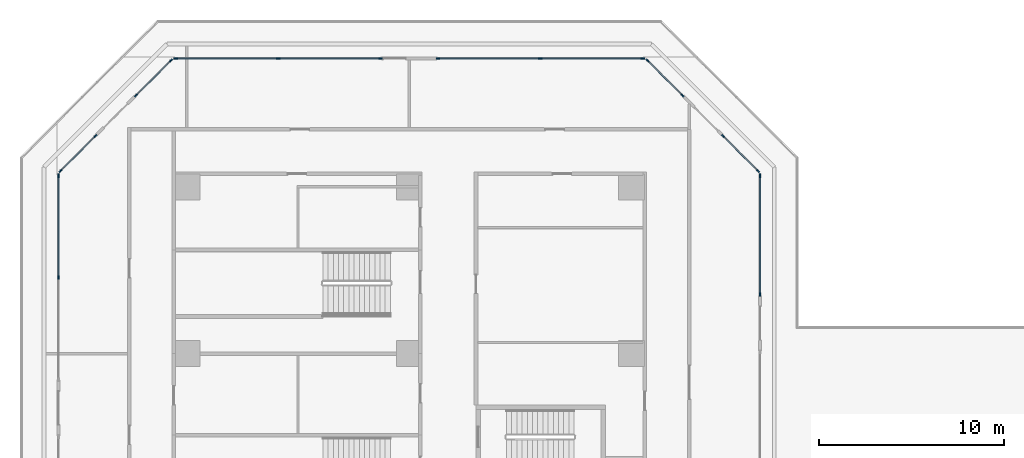
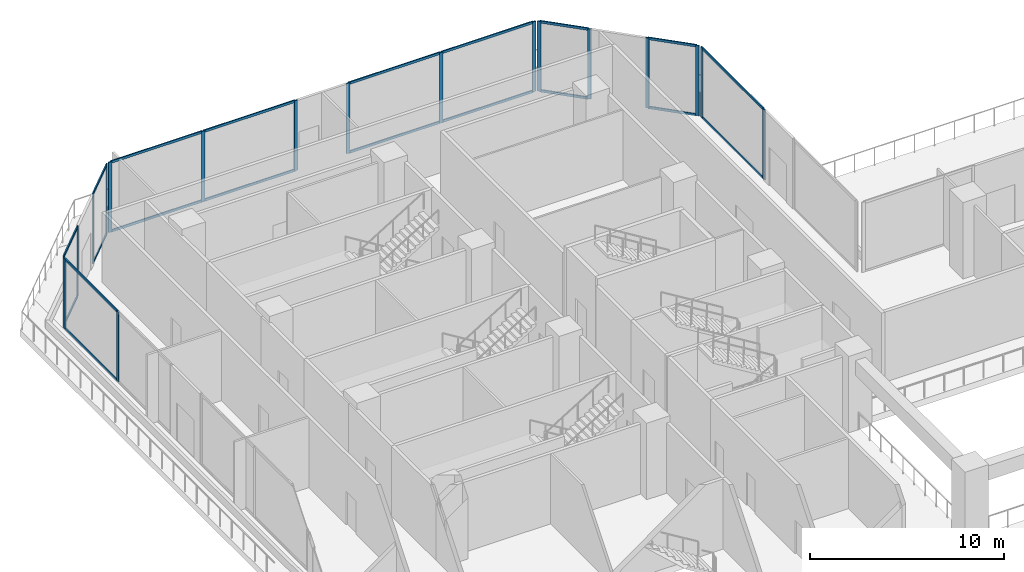
# One storey, part 8 of 25: 38 members, 8 elements without a shape of their own.
"""IFC4 building model written with IfcOpenShell, lengths in metres."""

from ifc_helpers import new_model, si_unit, direction, frame, origin, origin_2d, place, context, subcontext, project, spatial, rectangle, extrude, material, layer, layer_set, material_profile, profile_set, type_object, element, aggregate, save


model = new_model("IFC4")

# Units and contexts
model_context = context("Model", 3, precision=1e-05, world=origin(), true_north=direction((0.0, 1.0)))
body_context = subcontext(model_context, "Body", "Model", "MODEL_VIEW")
ifc_project = project(units=[si_unit("LENGTHUNIT", "METRE"), si_unit("AREAUNIT", "SQUARE_METRE"), si_unit("VOLUMEUNIT", "CUBIC_METRE"), si_unit("PLANEANGLEUNIT", "RADIAN"), si_unit("MASSUNIT", "GRAM", prefix="KILO")], contexts=[model_context])

# Site, building, storey
site_placement = place(None, origin())
site = spatial("IfcSite", under=ifc_project, at=site_placement, CompositionType="ELEMENT")
building_placement = place(site_placement, origin())
building = spatial("IfcBuilding", under=site, at=building_placement, Name="Chenar Terraces", CompositionType="ELEMENT")
storey_placement = place(building_placement, frame((0.0, 0.0, 21.60009765625)))
storey = spatial("IfcBuildingStorey", under=building, at=storey_placement, Name="L04", CompositionType="ELEMENT", Elevation=21.60009765625)

# Curtain wall, members
ifc_material_1 = material(Name="Aluminium framed glazing", Category="aluminium")
ifc_layer = layer(ifc_material_1, 0.14990234375)
ifc_layer_set = layer_set([ifc_layer], Name="Aluminium framed glazing")
curtain_wall_type = type_object("IfcCurtainWallType", Name="School curtain wall", PredefinedType="NOTDEFINED", material=ifc_layer_set)
placement = place(storey_placement, origin())
curtain_wall_1 = element("IfcCurtainWall", 1, at=placement, inside=storey, type_object=curtain_wall_type, Name="School curtain wall", PredefinedType="NOTDEFINED")
ifc_material_2 = material(Name="Aluminium", Category="aluminium")
ifc_material_profile_1 = material_profile(ifc_material_2, rectangle(XDim=0.070068359375, YDim=0.199951171875, at=origin_2d()), Name="School glazing mullion 70 x 200")
ifc_profile_set_1 = profile_set([ifc_material_profile_1], Name="Aluminium")
member_type_1 = type_object("IfcMemberType", Name="School glazing mullion 70 x 200", PredefinedType="MULLION", material=ifc_profile_set_1)
member_1_placement = place(storey_placement, frame((30.925048828125, 57.1865234375, 0.0), z_axis=(0.0, 0.0, 1.0), x_axis=(-1.0, 0.0, 0.0)))
member_1 = element("IfcMember", 2, at=member_1_placement, type_object=member_type_1, Name="CW2-01c1 mullion 1", PredefinedType="MULLION", context=body_context, shape_type="SweptSolid", body=[
    extrude(rectangle(XDim=0.070068359375, YDim=0.199951171875, at=origin_2d()), origin(), (0.0, 0.0, 1.0), 4.39990234375),
])
member_2_placement = place(storey_placement, frame((30.925048828125, 63.59326171875, 0.0), z_axis=(0.0, 0.0, 1.0), x_axis=(-1.0, 0.0, 0.0)))
member_2 = element("IfcMember", 3, at=member_2_placement, type_object=member_type_1, Name="CW2-01c1 mullion 2", PredefinedType="MULLION", context=body_context, shape_type="SweptSolid", body=[
    extrude(rectangle(XDim=0.070068359375, YDim=0.199951171875, at=origin_2d()), origin(), (0.0, 0.0, 1.0), 4.39990234375),
])

curtain_wall_2 = element("IfcCurtainWall", 4, at=placement, inside=storey, type_object=curtain_wall_type, Name="School curtain wall", PredefinedType="NOTDEFINED")
member_3_placement = place(storey_placement, frame((30.816162109375, 63.85595703125, 0.0), z_axis=(0.0, 0.0, 1.0), x_axis=(-0.707106781187, -0.707106781187, 0.0)))
member_3 = element("IfcMember", 5, at=member_3_placement, type_object=member_type_1, Name="CW2-02c0 mullion 1", PredefinedType="MULLION", context=body_context, shape_type="SweptSolid", body=[
    extrude(rectangle(XDim=0.070068359375, YDim=0.199951171875, at=origin_2d()), origin(), (0.0, 0.0, 1.0), 4.39990234375),
])
member_4_placement = place(storey_placement, frame((28.930419921875, 65.741943359375, 0.0), z_axis=(0.0, 0.0, 1.0), x_axis=(-0.707106781187, -0.707106781187, 0.0)))
member_4 = element("IfcMember", 6, at=member_4_placement, type_object=member_type_1, Name="CW2-02c0 mullion 2", PredefinedType="MULLION", context=body_context, shape_type="SweptSolid", body=[
    extrude(rectangle(XDim=0.070068359375, YDim=0.199951171875, at=origin_2d()), origin(), (0.0, 0.0, 1.0), 4.39990234375),
])

curtain_wall_3 = element("IfcCurtainWall", 7, at=placement, inside=storey, type_object=curtain_wall_type, Name="School curtain wall", PredefinedType="NOTDEFINED")
member_5_placement = place(storey_placement, frame((26.741943359375, 67.930419921875, 0.0), z_axis=(0.0, 0.0, 1.0), x_axis=(-0.707106781187, -0.707106781187, 0.0)))
member_5 = element("IfcMember", 8, at=member_5_placement, type_object=member_type_1, Name="CW2-02c1 mullion 1", PredefinedType="MULLION", context=body_context, shape_type="SweptSolid", body=[
    extrude(rectangle(XDim=0.070068359375, YDim=0.199951171875, at=origin_2d()), origin(), (0.0, 0.0, 1.0), 4.39990234375),
])
member_6_placement = place(storey_placement, frame((24.85595703125, 69.816162109375, 0.0), z_axis=(0.0, 0.0, 1.0), x_axis=(-0.707106781187, -0.707106781187, 0.0)))
member_6 = element("IfcMember", 9, at=member_6_placement, type_object=member_type_1, Name="CW2-02c1 mullion 2", PredefinedType="MULLION", context=body_context, shape_type="SweptSolid", body=[
    extrude(rectangle(XDim=0.070068359375, YDim=0.199951171875, at=origin_2d()), origin(), (0.0, 0.0, 1.0), 4.39990234375),
])

curtain_wall_4 = element("IfcCurtainWall", 10, at=placement, inside=storey, type_object=curtain_wall_type, Name="School curtain wall", PredefinedType="NOTDEFINED")
member_7_placement = place(storey_placement, frame((24.59326171875, 69.925048828125, 0.0), z_axis=(0.0, 0.0, 1.0), x_axis=(0.0, -1.0, 0.0)))
member_7 = element("IfcMember", 11, at=member_7_placement, type_object=member_type_1, Name="CW2-03c0 mullion 1", PredefinedType="MULLION", context=body_context, shape_type="SweptSolid", body=[
    extrude(rectangle(XDim=0.070068359375, YDim=0.199951171875, at=origin_2d()), origin(), (0.0, 0.0, 1.0), 4.39990234375),
])
member_8_placement = place(storey_placement, frame((19.0703125, 69.925048828125, 0.0), z_axis=(0.0, 0.0, 1.0), x_axis=(0.0, -1.0, 0.0)))
member_8 = element("IfcMember", 12, at=member_8_placement, type_object=member_type_1, Name="CW2-03c0 mullion 2", PredefinedType="MULLION", context=body_context, shape_type="SweptSolid", body=[
    extrude(rectangle(XDim=0.070068359375, YDim=0.199951171875, at=origin_2d()), origin(), (0.0, 0.0, 1.0), 4.39990234375),
])
member_9_placement = place(storey_placement, frame((13.547607421875, 69.925048828125, 0.0), z_axis=(0.0, 0.0, 1.0), x_axis=(0.0, -1.0, 0.0)))
member_9 = element("IfcMember", 13, at=member_9_placement, type_object=member_type_1, Name="CW2-03c0 mullion 3", PredefinedType="MULLION", context=body_context, shape_type="SweptSolid", body=[
    extrude(rectangle(XDim=0.070068359375, YDim=0.199951171875, at=origin_2d()), origin(), (0.0, 0.0, 1.0), 4.39990234375),
])

curtain_wall_5 = element("IfcCurtainWall", 14, at=placement, inside=storey, type_object=curtain_wall_type, Name="School curtain wall", PredefinedType="NOTDEFINED")
member_10_placement = place(storey_placement, frame((10.452392578125, 69.925048828125, 0.0), z_axis=(0.0, 0.0, 1.0), x_axis=(0.0, -1.0, 0.0)))
member_10 = element("IfcMember", 15, at=member_10_placement, type_object=member_type_1, Name="CW2-03c1 mullion 1", PredefinedType="MULLION", context=body_context, shape_type="SweptSolid", body=[
    extrude(rectangle(XDim=0.070068359375, YDim=0.199951171875, at=origin_2d()), origin(), (0.0, 0.0, 1.0), 4.39990234375),
])
member_11_placement = place(storey_placement, frame((4.9296875, 69.925048828125, 0.0), z_axis=(0.0, 0.0, 1.0), x_axis=(0.0, -1.0, 0.0)))
member_11 = element("IfcMember", 16, at=member_11_placement, type_object=member_type_1, Name="CW2-03c1 mullion 2", PredefinedType="MULLION", context=body_context, shape_type="SweptSolid", body=[
    extrude(rectangle(XDim=0.070068359375, YDim=0.199951171875, at=origin_2d()), origin(), (0.0, 0.0, 1.0), 4.39990234375),
])
member_12_placement = place(storey_placement, frame((-0.59326171875, 69.925048828125, 0.0), z_axis=(0.0, 0.0, 1.0), x_axis=(0.0, -1.0, 0.0)))
member_12 = element("IfcMember", 17, at=member_12_placement, type_object=member_type_1, Name="CW2-03c1 mullion 3", PredefinedType="MULLION", context=body_context, shape_type="SweptSolid", body=[
    extrude(rectangle(XDim=0.070068359375, YDim=0.199951171875, at=origin_2d()), origin(), (0.0, 0.0, 1.0), 4.39990234375),
])

curtain_wall_6 = element("IfcCurtainWall", 18, at=placement, inside=storey, type_object=curtain_wall_type, Name="School curtain wall", PredefinedType="NOTDEFINED")
member_13_placement = place(storey_placement, frame((-0.85595703125, 69.816162109375, 0.0), z_axis=(0.0, 0.0, 1.0), x_axis=(0.707106781187, -0.707106781187, 0.0)))
member_13 = element("IfcMember", 19, at=member_13_placement, type_object=member_type_1, Name="CW2-04c0 mullion 1", PredefinedType="MULLION", context=body_context, shape_type="SweptSolid", body=[
    extrude(rectangle(XDim=0.070068359375, YDim=0.199951171875, at=origin_2d()), origin(), (0.0, 0.0, 1.0), 4.39990234375),
])
member_14_placement = place(storey_placement, frame((-2.741943359375, 67.930419921875, 0.0), z_axis=(0.0, 0.0, 1.0), x_axis=(0.707106781187, -0.707106781187, 0.0)))
member_14 = element("IfcMember", 20, at=member_14_placement, type_object=member_type_1, Name="CW2-04c0 mullion 2", PredefinedType="MULLION", context=body_context, shape_type="SweptSolid", body=[
    extrude(rectangle(XDim=0.070068359375, YDim=0.199951171875, at=origin_2d()), origin(), (0.0, 0.0, 1.0), 4.39990234375),
])

curtain_wall_7 = element("IfcCurtainWall", 21, at=placement, inside=storey, type_object=curtain_wall_type, Name="School curtain wall", PredefinedType="NOTDEFINED")
member_15_placement = place(storey_placement, frame((-4.930419921875, 65.741943359375, 0.0), z_axis=(0.0, 0.0, 1.0), x_axis=(0.707106781187, -0.707106781187, 0.0)))
member_15 = element("IfcMember", 22, at=member_15_placement, type_object=member_type_1, Name="CW2-04c1 mullion 1", PredefinedType="MULLION", context=body_context, shape_type="SweptSolid", body=[
    extrude(rectangle(XDim=0.070068359375, YDim=0.199951171875, at=origin_2d()), origin(), (0.0, 0.0, 1.0), 4.39990234375),
])
member_16_placement = place(storey_placement, frame((-6.816162109375, 63.85595703125, 0.0), z_axis=(0.0, 0.0, 1.0), x_axis=(0.707106781187, -0.707106781187, 0.0)))
member_16 = element("IfcMember", 23, at=member_16_placement, type_object=member_type_1, Name="CW2-04c1 mullion 2", PredefinedType="MULLION", context=body_context, shape_type="SweptSolid", body=[
    extrude(rectangle(XDim=0.070068359375, YDim=0.199951171875, at=origin_2d()), origin(), (0.0, 0.0, 1.0), 4.39990234375),
])

curtain_wall_8 = element("IfcCurtainWall", 24, at=placement, inside=storey, type_object=curtain_wall_type, Name="School curtain wall", PredefinedType="NOTDEFINED")
member_17_placement = place(storey_placement, frame((-6.925048828125, 63.59326171875, 0.0), z_axis=(0.0, 0.0, 1.0), x_axis=(1.0, 0.0, 0.0)))
member_17 = element("IfcMember", 25, at=member_17_placement, type_object=member_type_1, Name="CW2-05c0 mullion 1", PredefinedType="MULLION", context=body_context, shape_type="SweptSolid", body=[
    extrude(rectangle(XDim=0.070068359375, YDim=0.199951171875, at=origin_2d()), origin(), (0.0, 0.0, 1.0), 4.39990234375),
])
member_18_placement = place(storey_placement, frame((-6.925048828125, 58.102294921875, 0.0), z_axis=(0.0, 0.0, 1.0), x_axis=(1.0, 0.0, 0.0)))
member_18 = element("IfcMember", 26, at=member_18_placement, type_object=member_type_1, Name="CW2-05c0 mullion 2", PredefinedType="MULLION", context=body_context, shape_type="SweptSolid", body=[
    extrude(rectangle(XDim=0.070068359375, YDim=0.199951171875, at=origin_2d()), origin(), (0.0, 0.0, 1.0), 4.39990234375),
])

# Member
ifc_material_3 = material(Name="Aluminium", Category="aluminium")
ifc_material_profile_2 = material_profile(ifc_material_3, rectangle(XDim=0.070068359375, YDim=0.14990234375, at=origin_2d()), Name="School glazing transom 70 x 150")
ifc_profile_set_2 = profile_set([ifc_material_profile_2], Name="Aluminium")
member_type_2 = type_object("IfcMemberType", Name="School glazing transom 70 x 150", PredefinedType="USERDEFINED", material=ifc_profile_set_2)
member_19_placement = place(storey_placement, frame((30.925048828125, 57.2216796875, 0.034912109375), z_axis=(0.0, 1.0, 0.0), x_axis=(-1.0, 0.0, 0.0)))
member_19 = element("IfcMember", 27, at=member_19_placement, type_object=member_type_2, Name="CW2-01c1 transom 1.1", ObjectType="TRANSOM", PredefinedType="USERDEFINED", context=body_context, shape_type="SweptSolid", body=[
    extrude(rectangle(XDim=0.070068359375, YDim=0.14990234375, at=origin_2d()), origin(), (0.0, 0.0, 1.0), 6.33642578125),
])

member_20_placement = place(storey_placement, frame((30.925048828125, 57.2216796875, 4.364990234375), z_axis=(0.0, 1.0, 0.0), x_axis=(-1.0, 0.0, 0.0)))
member_20 = element("IfcMember", 28, at=member_20_placement, type_object=member_type_2, Name="CW2-01c1 transom 1.2", ObjectType="TRANSOM", PredefinedType="USERDEFINED", context=body_context, shape_type="SweptSolid", body=[
    extrude(rectangle(XDim=0.070068359375, YDim=0.14990234375, at=origin_2d()), origin(), (0.0, 0.0, 1.0), 6.33642578125),
])

aggregate(curtain_wall_1, [member_1, member_2, member_19, member_20])

member_21_placement = place(storey_placement, frame((30.79150390625, 63.880615234375, 0.034912109375), z_axis=(-0.707106781187, 0.707106781187, 0.0), x_axis=(-0.707106781187, -0.707106781187, 0.0)))
member_21 = element("IfcMember", 29, at=member_21_placement, type_object=member_type_2, Name="CW2-02c0 transom 1.1", ObjectType="TRANSOM", PredefinedType="USERDEFINED", context=body_context, shape_type="SweptSolid", body=[
    extrude(rectangle(XDim=0.070068359375, YDim=0.14990234375, at=origin_2d()), origin(), (0.0, 0.0, 1.0), 2.59716796875),
])

member_22_placement = place(storey_placement, frame((30.79150390625, 63.880615234375, 4.364990234375), z_axis=(-0.707106781187, 0.707106781187, 0.0), x_axis=(-0.707106781187, -0.707106781187, 0.0)))
member_22 = element("IfcMember", 30, at=member_22_placement, type_object=member_type_2, Name="CW2-02c0 transom 1.2", ObjectType="TRANSOM", PredefinedType="USERDEFINED", context=body_context, shape_type="SweptSolid", body=[
    extrude(rectangle(XDim=0.070068359375, YDim=0.14990234375, at=origin_2d()), origin(), (0.0, 0.0, 1.0), 2.59716796875),
])

aggregate(curtain_wall_2, [member_3, member_4, member_21, member_22])

member_23_placement = place(storey_placement, frame((26.717041015625, 67.955078125, 0.034912109375), z_axis=(-0.707106781187, 0.707106781187, 0.0), x_axis=(-0.707106781187, -0.707106781187, 0.0)))
member_23 = element("IfcMember", 31, at=member_23_placement, type_object=member_type_2, Name="CW2-02c1 transom 1.1", ObjectType="TRANSOM", PredefinedType="USERDEFINED", context=body_context, shape_type="SweptSolid", body=[
    extrude(rectangle(XDim=0.070068359375, YDim=0.14990234375, at=origin_2d()), origin(), (0.0, 0.0, 1.0), 2.59716796875),
])

member_24_placement = place(storey_placement, frame((26.717041015625, 67.955078125, 4.364990234375), z_axis=(-0.707106781187, 0.707106781187, 0.0), x_axis=(-0.707106781187, -0.707106781187, 0.0)))
member_24 = element("IfcMember", 32, at=member_24_placement, type_object=member_type_2, Name="CW2-02c1 transom 1.2", ObjectType="TRANSOM", PredefinedType="USERDEFINED", context=body_context, shape_type="SweptSolid", body=[
    extrude(rectangle(XDim=0.070068359375, YDim=0.14990234375, at=origin_2d()), origin(), (0.0, 0.0, 1.0), 2.59716796875),
])

aggregate(curtain_wall_3, [member_5, member_6, member_23, member_24])

member_25_placement = place(storey_placement, frame((24.55810546875, 69.925048828125, 0.034912109375), z_axis=(-1.0, 0.0, 0.0), x_axis=(0.0, -1.0, 0.0)))
member_25 = element("IfcMember", 33, at=member_25_placement, type_object=member_type_2, Name="CW2-03c0 transom 1.1", ObjectType="TRANSOM", PredefinedType="USERDEFINED", context=body_context, shape_type="SweptSolid", body=[
    extrude(rectangle(XDim=0.070068359375, YDim=0.14990234375, at=origin_2d()), origin(), (0.0, 0.0, 1.0), 5.45263671875),
])

member_26_placement = place(storey_placement, frame((24.55810546875, 69.925048828125, 4.364990234375), z_axis=(-1.0, 0.0, 0.0), x_axis=(0.0, -1.0, 0.0)))
member_26 = element("IfcMember", 34, at=member_26_placement, type_object=member_type_2, Name="CW2-03c0 transom 1.2", ObjectType="TRANSOM", PredefinedType="USERDEFINED", context=body_context, shape_type="SweptSolid", body=[
    extrude(rectangle(XDim=0.070068359375, YDim=0.14990234375, at=origin_2d()), origin(), (0.0, 0.0, 1.0), 5.45263671875),
])

member_27_placement = place(storey_placement, frame((19.035400390625, 69.925048828125, 0.034912109375), z_axis=(-1.0, 0.0, 0.0), x_axis=(0.0, -1.0, 0.0)))
member_27 = element("IfcMember", 35, at=member_27_placement, type_object=member_type_2, Name="CW2-03c0 transom 2.1", ObjectType="TRANSOM", PredefinedType="USERDEFINED", context=body_context, shape_type="SweptSolid", body=[
    extrude(rectangle(XDim=0.070068359375, YDim=0.14990234375, at=origin_2d()), origin(), (0.0, 0.0, 1.0), 5.452880859375),
])

member_28_placement = place(storey_placement, frame((19.035400390625, 69.925048828125, 4.364990234375), z_axis=(-1.0, 0.0, 0.0), x_axis=(0.0, -1.0, 0.0)))
member_28 = element("IfcMember", 36, at=member_28_placement, type_object=member_type_2, Name="CW2-03c0 transom 2.2", ObjectType="TRANSOM", PredefinedType="USERDEFINED", context=body_context, shape_type="SweptSolid", body=[
    extrude(rectangle(XDim=0.070068359375, YDim=0.14990234375, at=origin_2d()), origin(), (0.0, 0.0, 1.0), 5.452880859375),
])

aggregate(curtain_wall_4, [member_7, member_8, member_9, member_25, member_26, member_27, member_28])

member_29_placement = place(storey_placement, frame((10.41748046875, 69.925048828125, 0.034912109375), z_axis=(-1.0, 0.0, 0.0), x_axis=(0.0, -1.0, 0.0)))
member_29 = element("IfcMember", 37, at=member_29_placement, type_object=member_type_2, Name="CW2-03c1 transom 1.1", ObjectType="TRANSOM", PredefinedType="USERDEFINED", context=body_context, shape_type="SweptSolid", body=[
    extrude(rectangle(XDim=0.070068359375, YDim=0.14990234375, at=origin_2d()), origin(), (0.0, 0.0, 1.0), 5.452880859375),
])

member_30_placement = place(storey_placement, frame((10.41748046875, 69.925048828125, 4.364990234375), z_axis=(-1.0, 0.0, 0.0), x_axis=(0.0, -1.0, 0.0)))
member_30 = element("IfcMember", 38, at=member_30_placement, type_object=member_type_2, Name="CW2-03c1 transom 1.2", ObjectType="TRANSOM", PredefinedType="USERDEFINED", context=body_context, shape_type="SweptSolid", body=[
    extrude(rectangle(XDim=0.070068359375, YDim=0.14990234375, at=origin_2d()), origin(), (0.0, 0.0, 1.0), 5.452880859375),
])

member_31_placement = place(storey_placement, frame((4.89453125, 69.925048828125, 0.034912109375), z_axis=(-1.0, 0.0, 0.0), x_axis=(0.0, -1.0, 0.0)))
member_31 = element("IfcMember", 39, at=member_31_placement, type_object=member_type_2, Name="CW2-03c1 transom 2.1", ObjectType="TRANSOM", PredefinedType="USERDEFINED", context=body_context, shape_type="SweptSolid", body=[
    extrude(rectangle(XDim=0.070068359375, YDim=0.14990234375, at=origin_2d()), origin(), (0.0, 0.0, 1.0), 5.45263671875),
])

member_32_placement = place(storey_placement, frame((4.89453125, 69.925048828125, 4.364990234375), z_axis=(-1.0, 0.0, 0.0), x_axis=(0.0, -1.0, 0.0)))
member_32 = element("IfcMember", 40, at=member_32_placement, type_object=member_type_2, Name="CW2-03c1 transom 2.2", ObjectType="TRANSOM", PredefinedType="USERDEFINED", context=body_context, shape_type="SweptSolid", body=[
    extrude(rectangle(XDim=0.070068359375, YDim=0.14990234375, at=origin_2d()), origin(), (0.0, 0.0, 1.0), 5.45263671875),
])

aggregate(curtain_wall_5, [member_10, member_11, member_12, member_29, member_30, member_31, member_32])

member_33_placement = place(storey_placement, frame((-0.880615234375, 69.79150390625, 0.034912109375), z_axis=(-0.707106781187, -0.707106781187, 0.0), x_axis=(0.707106781187, -0.707106781187, 0.0)))
member_33 = element("IfcMember", 41, at=member_33_placement, type_object=member_type_2, Name="CW2-04c0 transom 1.1", ObjectType="TRANSOM", PredefinedType="USERDEFINED", context=body_context, shape_type="SweptSolid", body=[
    extrude(rectangle(XDim=0.070068359375, YDim=0.14990234375, at=origin_2d()), origin(), (0.0, 0.0, 1.0), 2.59716796875),
])

member_34_placement = place(storey_placement, frame((-0.880615234375, 69.79150390625, 4.364990234375), z_axis=(-0.707106781187, -0.707106781187, 0.0), x_axis=(0.707106781187, -0.707106781187, 0.0)))
member_34 = element("IfcMember", 42, at=member_34_placement, type_object=member_type_2, Name="CW2-04c0 transom 1.2", ObjectType="TRANSOM", PredefinedType="USERDEFINED", context=body_context, shape_type="SweptSolid", body=[
    extrude(rectangle(XDim=0.070068359375, YDim=0.14990234375, at=origin_2d()), origin(), (0.0, 0.0, 1.0), 2.59716796875),
])

aggregate(curtain_wall_6, [member_13, member_14, member_33, member_34])

member_35_placement = place(storey_placement, frame((-4.955078125, 65.717041015625, 0.034912109375), z_axis=(-0.707106781187, -0.707106781187, 0.0), x_axis=(0.707106781187, -0.707106781187, 0.0)))
member_35 = element("IfcMember", 43, at=member_35_placement, type_object=member_type_2, Name="CW2-04c1 transom 1.1", ObjectType="TRANSOM", PredefinedType="USERDEFINED", context=body_context, shape_type="SweptSolid", body=[
    extrude(rectangle(XDim=0.070068359375, YDim=0.14990234375, at=origin_2d()), origin(), (0.0, 0.0, 1.0), 2.59716796875),
])

member_36_placement = place(storey_placement, frame((-4.955078125, 65.717041015625, 4.364990234375), z_axis=(-0.707106781187, -0.707106781187, 0.0), x_axis=(0.707106781187, -0.707106781187, 0.0)))
member_36 = element("IfcMember", 44, at=member_36_placement, type_object=member_type_2, Name="CW2-04c1 transom 1.2", ObjectType="TRANSOM", PredefinedType="USERDEFINED", context=body_context, shape_type="SweptSolid", body=[
    extrude(rectangle(XDim=0.070068359375, YDim=0.14990234375, at=origin_2d()), origin(), (0.0, 0.0, 1.0), 2.59716796875),
])

aggregate(curtain_wall_7, [member_15, member_16, member_35, member_36])

member_37_placement = place(storey_placement, frame((-6.925048828125, 63.55810546875, 0.034912109375), z_axis=(0.0, -1.0, 0.0), x_axis=(1.0, 0.0, 0.0)))
member_37 = element("IfcMember", 45, at=member_37_placement, type_object=member_type_2, Name="CW2-05c0 transom 1.1", ObjectType="TRANSOM", PredefinedType="USERDEFINED", context=body_context, shape_type="SweptSolid", body=[
    extrude(rectangle(XDim=0.070068359375, YDim=0.14990234375, at=origin_2d()), origin(), (0.0, 0.0, 1.0), 5.420654296875),
])

member_38_placement = place(storey_placement, frame((-6.925048828125, 63.55810546875, 4.364990234375), z_axis=(0.0, -1.0, 0.0), x_axis=(1.0, 0.0, 0.0)))
member_38 = element("IfcMember", 46, at=member_38_placement, type_object=member_type_2, Name="CW2-05c0 transom 1.2", ObjectType="TRANSOM", PredefinedType="USERDEFINED", context=body_context, shape_type="SweptSolid", body=[
    extrude(rectangle(XDim=0.070068359375, YDim=0.14990234375, at=origin_2d()), origin(), (0.0, 0.0, 1.0), 5.420654296875),
])

aggregate(curtain_wall_8, [member_17, member_18, member_37, member_38])

save(model, "model.ifc")
